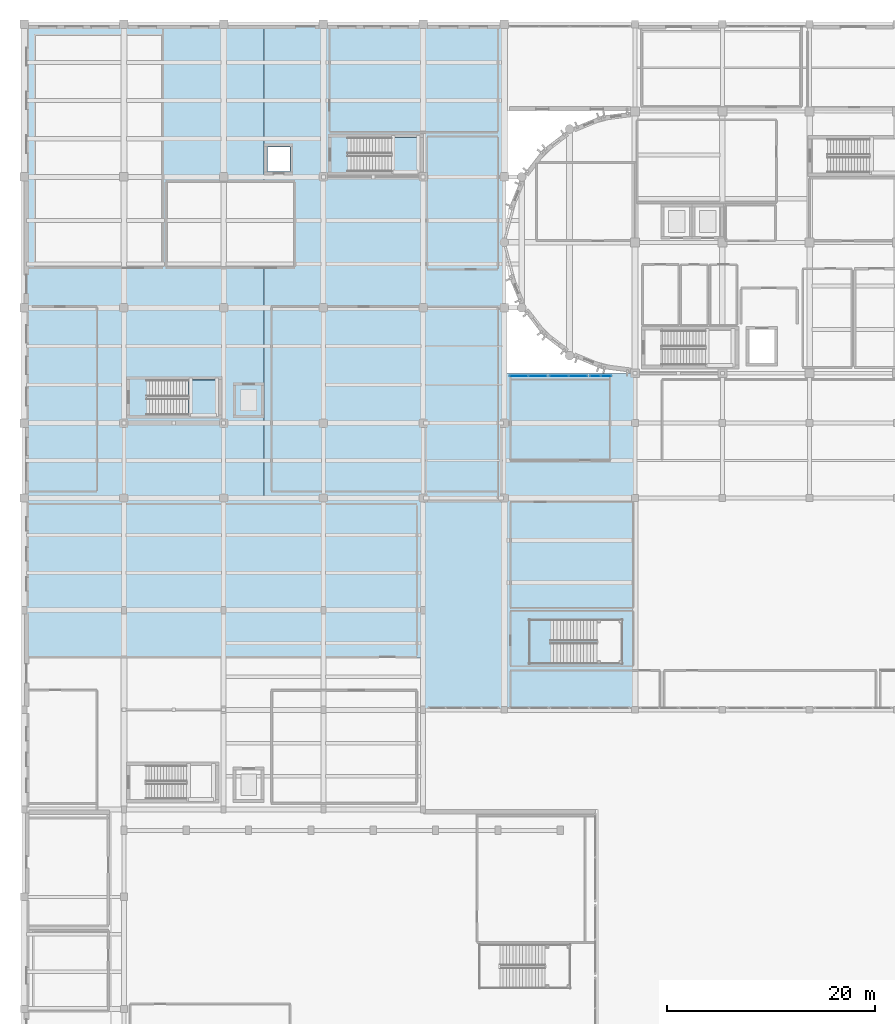
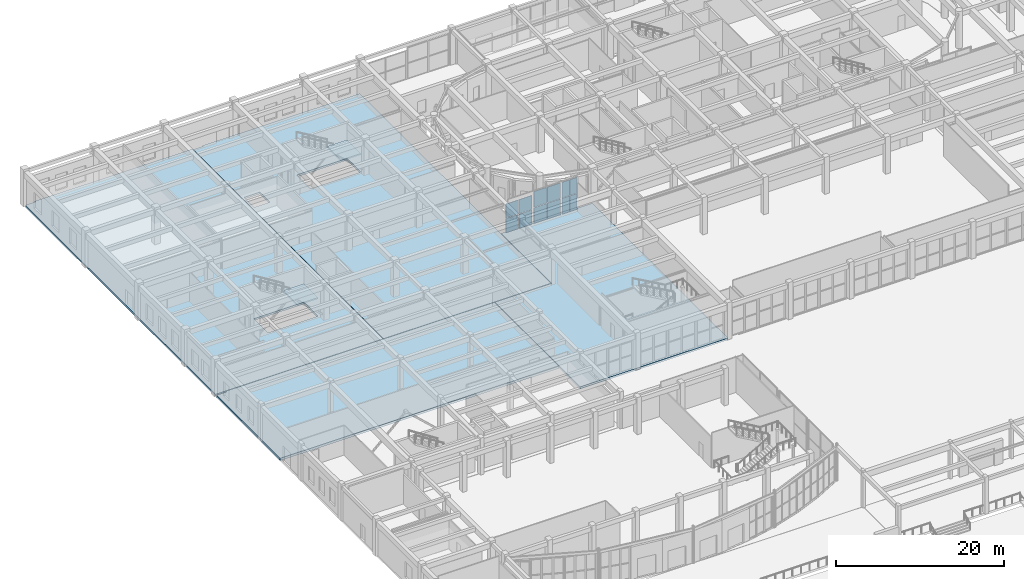
# One storey, part 62 of 98: 12 plates, 6 slabs, 5 elements without a shape of their own.
"""IFC4 building model written with IfcOpenShell, lengths in metres."""

import ifcopenshell
import ifcopenshell.guid

model = None  # the IFC model being written
_history = None  # IfcOwnerHistory: only IFC2X3 demands one
_inside = {}  # id of a spatial element -> (the spatial element, [elements in it])
_under = {}  # id of a project, library or spatial element -> (it, [spatial elements below it])
_declared = {}  # id of a project -> (the project, [libraries it declares])
_typed = {}  # id of a type object -> (the type object, [elements of that type])
_made_of = {}  # id of a material, layer set ... -> (it, [elements and type objects made of it])


def new_model(schema):
    """Start an empty IFC model of exactly this schema.

    Asked for "IFC4X3", IfcOpenShell would pick the latest addendum, in which some entities
    have other attributes; the version numbers below select the first issue.
    IFC2X3 requires an IfcOwnerHistory on every rooted entity: one is made here for all.
    """
    global model, _history
    if schema == "IFC4X3":
        model = ifcopenshell.file(schema_version=(4, 3, 0, 0))
    else:
        model = ifcopenshell.file(schema=schema)
    _inside.clear()
    _under.clear()
    _declared.clear()
    _typed.clear()
    _made_of.clear()
    _history = None
    if model.schema == "IFC2X3":
        org = make("IfcOrganization", Name="unknown")
        user = make(
            "IfcPersonAndOrganization",
            ThePerson=make("IfcPerson", FamilyName="unknown"),
            TheOrganization=org,
        )
        app = make(
            "IfcApplication",
            ApplicationDeveloper=org,
            Version="unknown",
            ApplicationFullName="unknown",
            ApplicationIdentifier="unknown",
        )
        _history = make(
            "IfcOwnerHistory",
            OwningUser=user,
            OwningApplication=app,
            ChangeAction="ADDED",
            CreationDate=0,
        )
    return model


def make(cls, **values):
    """One entity of the class cls with the attributes given. An attribute that is None is left unset."""
    return model.create_entity(
        cls, **{name: value for name, value in values.items() if value is not None}
    )


def rooted(cls, **values):
    """An entity with a GlobalId (a new one), such as an element, a storey or a relation."""
    return make(cls, GlobalId=ifcopenshell.guid.new(), OwnerHistory=_history, **values)


def si_unit(unit_type, name, prefix=None):
    """IfcSIUnit, for example si_unit("LENGTHUNIT", "METRE", prefix="MILLI")."""
    return make("IfcSIUnit", UnitType=unit_type, Prefix=prefix, Name=name)


def assignment(units):
    """IfcUnitAssignment: the units of a project."""
    return None if units is None else make("IfcUnitAssignment", Units=units)


def point(xyz):
    """IfcCartesianPoint."""
    return None if xyz is None else make("IfcCartesianPoint", Coordinates=xyz)


def direction(xyz):
    """IfcDirection."""
    return None if xyz is None else make("IfcDirection", DirectionRatios=xyz)


def frame(location, z_axis=None, x_axis=None):
    """IfcAxis2Placement3D, a coordinate frame: its origin and axes. An axis left out is left unset."""
    return make(
        "IfcAxis2Placement3D",
        Location=point(location),
        Axis=direction(z_axis),
        RefDirection=direction(x_axis),
    )


def frame_2d(location, x_axis=None):
    """IfcAxis2Placement2D, a coordinate frame in the plane: its origin and x axis."""
    return make(
        "IfcAxis2Placement2D", Location=point(location), RefDirection=direction(x_axis)
    )


def origin():
    """The frame at (0, 0, 0) with its axes left unset."""
    return frame((0.0, 0.0, 0.0))


def origin_2d():
    """The frame at (0, 0) in the plane with its x axis left unset."""
    return frame_2d((0.0, 0.0))


def place(relative_to, where):
    """IfcLocalPlacement: puts the frame where relative to a parent placement (None: the world)."""
    return make(
        "IfcLocalPlacement", PlacementRelTo=relative_to, RelativePlacement=where
    )


def context(
    kind, dimensions, precision=None, world=None, true_north=None, identifier=None
):
    """IfcGeometricRepresentationContext, for example the 3D "Model" context."""
    return make(
        "IfcGeometricRepresentationContext",
        ContextIdentifier=identifier,
        ContextType=kind,
        CoordinateSpaceDimension=dimensions,
        Precision=precision,
        WorldCoordinateSystem=world,
        TrueNorth=true_north,
    )


def subcontext(parent, identifier, kind, view, scale=None):
    """IfcGeometricRepresentationSubContext, for example "Body" below "Model"."""
    return make(
        "IfcGeometricRepresentationSubContext",
        ContextIdentifier=identifier,
        ContextType=kind,
        ParentContext=parent,
        TargetScale=scale,
        TargetView=view,
    )


def project(units=None, contexts=None):
    """IfcProject with its units and contexts."""
    return rooted(
        "IfcProject",
        Name="project",
        RepresentationContexts=contexts,
        UnitsInContext=assignment(units),
    )


def spatial(cls, under=None, at=None, **own):
    """A site, building, storey or space (cls), placed at a placement, below another one or the project."""
    s = rooted(cls, ObjectPlacement=at, **own)
    if under is not None:
        _under.setdefault(under.id(), (under, []))[1].append(s)
    return s


def polyline(points):
    """IfcPolyline through the points."""
    return make("IfcPolyline", Points=[point(p) for p in points])


def profile(cls, at=None, kind="AREA", **sizes):
    """A parametric profile (cls). Its sizes go by their IFC names, for example OverallWidth=200.0."""
    return make(cls, ProfileType=kind, Position=at, **sizes)


def rectangle(**sizes):
    """IfcRectangleProfileDef."""
    return profile("IfcRectangleProfileDef", **sizes)


def outline(outer, holes=None, kind="AREA"):
    """IfcArbitraryClosedProfileDef: a profile drawn as a closed curve; with holes, ...WithVoids."""
    if holes is None:
        return make("IfcArbitraryClosedProfileDef", ProfileType=kind, OuterCurve=outer)
    return make(
        "IfcArbitraryProfileDefWithVoids",
        ProfileType=kind,
        OuterCurve=outer,
        InnerCurves=holes,
    )


def extrude(swept, where, along, depth):
    """IfcExtrudedAreaSolid: the profile swept, set in the frame where, extruded along a direction by depth."""
    return make(
        "IfcExtrudedAreaSolid",
        SweptArea=swept,
        Position=where,
        ExtrudedDirection=direction(along),
        Depth=depth,
    )


def shape(context_of_items, identifier, shape_type, items):
    """IfcShapeRepresentation: the items that make up one representation, for example the "Body"."""
    return make(
        "IfcShapeRepresentation",
        ContextOfItems=context_of_items,
        RepresentationIdentifier=identifier,
        RepresentationType=shape_type,
        Items=items,
    )


def material(Name=None, Category=None):
    """IfcMaterial."""
    return make("IfcMaterial", Name=Name, Category=Category)


def layer(
    of_material, thickness, ventilated=None, Name=None, Category=None, Priority=None
):
    """IfcMaterialLayer: one layer of a wall or slab, of a material (None: an air gap)."""
    return make(
        "IfcMaterialLayer",
        Material=of_material,
        LayerThickness=thickness,
        IsVentilated=ventilated,
        Name=Name,
        Category=Category,
        Priority=Priority,
    )


def layer_set(layers, Name=None):
    """IfcMaterialLayerSet."""
    return make("IfcMaterialLayerSet", MaterialLayers=layers, LayerSetName=Name)


def made_of(thing, what):
    """Note that an element or type object is made of a material, layer set ...; save() writes the relation."""
    if what is not None:
        _made_of.setdefault(what.id(), (what, []))[1].append(thing)
    return thing


def type_object(cls, material=None, **own):
    """A type object (cls), such as IfcWallType, which elements share."""
    return made_of(rooted(cls, **own), material)


def element(
    cls,
    number,
    at=None,
    inside=None,
    cuts=None,
    type_object=None,
    material=None,
    context=None,
    identifier="Body",
    shape_type=None,
    held_by="IfcProductDefinitionShape",
    body=None,
    shapes=None,
    **own,
):
    """One element of the class cls, such as IfcWall. Its Tag is "e" and its number.

    at: its placement. inside: the storey or other place that contains it. cuts: it is an
    opening in that element (IfcRelVoidsElement). A single representation is given by context,
    identifier, shape_type and body (its items); several are given by shapes. held_by: the class
    of the entity that holds the representations. save() writes the other relations.
    """
    e = rooted(cls, Tag="e%d" % number, ObjectPlacement=at, **own)
    if body is not None:
        shapes = [shape(context, identifier, shape_type, body)]
    if shapes is not None:
        e.Representation = make(held_by, Representations=shapes)
    if inside is not None:
        _inside.setdefault(inside.id(), (inside, []))[1].append(e)
    if cuts is not None:
        rooted(
            "IfcRelVoidsElement", RelatingBuildingElement=cuts, RelatedOpeningElement=e
        )
    if type_object is not None:
        _typed.setdefault(type_object.id(), (type_object, []))[1].append(e)
    return made_of(e, material)


def aggregate(whole, parts):
    """IfcRelAggregates: a whole, such as a stair, and the parts it consists of."""
    return rooted("IfcRelAggregates", RelatingObject=whole, RelatedObjects=parts)


def save(model, path):
    """Write the relations noted so far, then the file.

    IfcRelAggregates (storeys below a building ...), IfcRelContainedInSpatialStructure (elements
    in a storey), IfcRelDefinesByType, IfcRelAssociatesMaterial and IfcRelDeclares: one each for
    every whole, place, type object, material and project.
    """
    for whole, parts in _under.values():
        aggregate(whole, parts)
    for where, things in _inside.values():
        rooted(
            "IfcRelContainedInSpatialStructure",
            RelatedElements=things,
            RelatingStructure=where,
        )
    for kind, things in _typed.values():
        rooted("IfcRelDefinesByType", RelatedObjects=things, RelatingType=kind)
    for what, things in _made_of.values():
        rooted("IfcRelAssociatesMaterial", RelatedObjects=things, RelatingMaterial=what)
    for by, libraries in _declared.values():
        rooted("IfcRelDeclares", RelatingContext=by, RelatedDefinitions=libraries)
    model.write(path)


model = new_model("IFC4")

# Units and contexts
model_context = context("Model", 3, precision=1e-05, world=origin(), true_north=direction((0.0, 1.0)))
body_context = subcontext(model_context, "Body", "Model", "MODEL_VIEW")
ifc_project = project(units=[si_unit("LENGTHUNIT", "METRE"), si_unit("AREAUNIT", "SQUARE_METRE"), si_unit("VOLUMEUNIT", "CUBIC_METRE"), si_unit("PLANEANGLEUNIT", "RADIAN"), si_unit("MASSUNIT", "GRAM", prefix="KILO")], contexts=[model_context])

# Site, building, storey
site_placement = place(None, origin())
site = spatial("IfcSite", under=ifc_project, at=site_placement, CompositionType="ELEMENT")
building_placement = place(site_placement, origin())
building = spatial("IfcBuilding", under=site, at=building_placement, Name="Tarnavel Promenade Courthouse", CompositionType="ELEMENT")
storey_placement = place(building_placement, origin())
storey = spatial("IfcBuildingStorey", under=building, at=storey_placement, Name="L01", CompositionType="ELEMENT", Elevation=0.0)

# Slabs
ifc_material_1 = material(Name="Concrete C35/45", Category="concrete")
ifc_layer_1 = layer(ifc_material_1, 0.280029296875)
ifc_layer_set_1 = layer_set([ifc_layer_1], Name="Concrete C35/45")
slab_type_1 = type_object("IfcSlabType", Name="Concrete C35/45 SLB-L01-280 (280 mm)", PredefinedType="FLOOR", material=ifc_layer_set_1)
slab_1_placement = place(storey_placement, frame((0.0, 0.0, -0.280029296875)))
element("IfcSlab", 1, at=slab_1_placement, inside=storey, type_object=slab_type_1, Name="L01 Trial Courtrooms W PT Floor Slab", PredefinedType="FLOOR", context=body_context, shape_type="SweptSolid", body=[
    extrude(outline(polyline([(0.0, 67.219970703125), (23.080078125, 67.219970703125), (23.080078125, 112.800048828125), (1.39990234375, 112.800048828125), (1.39990234375, 112.639892578125), (0.0, 112.639892578125), (0.0, 67.219970703125)]), holes=[polyline([(11.824951171875, 75.199951171875), (18.699951171875, 75.199951171875), (18.699951171875, 78.56005859375), (11.824951171875, 78.56005859375), (11.824951171875, 75.199951171875)])]), origin(), (0.0, 0.0, 1.0), 0.280029296875),
])
slab_2_placement = place(storey_placement, frame((0.0, 0.0, -0.280029296875)))
element("IfcSlab", 2, at=slab_2_placement, inside=storey, type_object=slab_type_1, Name="L01 Trial Courtrooms E PT Floor Slab", PredefinedType="FLOOR", context=body_context, shape_type="SweptSolid", body=[
    extrude(outline(polyline([(23.1201171875, 67.219970703125), (46.179931640625, 67.219970703125), (46.179931640625, 112.800048828125), (24.52001953125, 112.800048828125), (24.52001953125, 112.639892578125), (23.1201171875, 112.639892578125), (23.1201171875, 67.219970703125)]), holes=[polyline([(31.18505859375, 98.60009765625), (38.10009765625, 98.60009765625), (38.10009765625, 101.8798828125), (31.18505859375, 101.8798828125), (31.18505859375, 98.60009765625)]), polyline([(23.39990234375, 98.60009765625), (25.60009765625, 98.60009765625), (25.60009765625, 101.0), (23.39990234375, 101.0), (23.39990234375, 98.60009765625)])]), origin(), (0.0, 0.0, 1.0), 0.280029296875),
])
slab_3_placement = place(storey_placement, frame((0.0, 0.0, -0.280029296875)))
element("IfcSlab", 3, at=slab_3_placement, inside=storey, type_object=slab_type_1, Name="L01 Winter-Garden West Concourse Slab", PredefinedType="FLOOR", context=body_context, shape_type="SweptSolid", body=[
    extrude(outline(polyline([(38.419921875, 46.800048828125), (58.780029296875, 46.800048828125), (58.780029296875, 79.179931640625), (46.219970703125, 79.179931640625), (46.219970703125, 67.179931640625), (38.419921875, 67.179931640625), (38.419921875, 46.800048828125)])), origin(), (0.0, 0.0, 1.0), 0.280029296875),
])

# Stair, slab
stair_type_1 = type_object("IfcStairType", Name="Concrete C35/45 Half-Turn Stair STR-08 (1580W-290G-30R)", PredefinedType="HALF_TURN_STAIR", material=ifc_material_1)
stair_1_placement = place(storey_placement, origin())
stair_1 = element("IfcStair", 4, at=stair_1_placement, inside=storey, type_object=stair_type_1, Name="L01 Trial Courts West Exit Stair", PredefinedType="HALF_TURN_STAIR")
ifc_layer_2 = layer(ifc_material_1, 0.205078125)
ifc_layer_set_2 = layer_set([ifc_layer_2], Name="Concrete C35/45")
slab_type_2 = type_object("IfcSlabType", Name="Concrete C35/45 Stair Landing SLB-LND-205 (205 mm)", PredefinedType="LANDING", material=ifc_layer_set_2)
slab_4_placement = place(storey_placement, frame((0.0, 0.0, 2.5)))
slab_4 = element("IfcSlab", 5, at=slab_4_placement, type_object=slab_type_2, Name="ST-04 landing 1", PredefinedType="LANDING", context=body_context, shape_type="SweptSolid", body=[
    extrude(outline(polyline([(15.840087890625, 75.199951171875), (18.699951171875, 75.199951171875), (18.699951171875, 78.56005859375), (15.840087890625, 78.56005859375), (15.840087890625, 75.199951171875)])), origin(), (0.0, 0.0, 1.0), 0.199951171875),
])
aggregate(stair_1, [slab_4])

stair_type_2 = type_object("IfcStairType", Name="Concrete C35/45 Half-Turn Stair STR-11 (1540W-300G-30R)", PredefinedType="HALF_TURN_STAIR", material=ifc_material_1)
stair_2_placement = place(storey_placement, origin())
stair_2 = element("IfcStair", 6, at=stair_2_placement, inside=storey, type_object=stair_type_2, Name="L01 Trial Courts North Exit Stair", PredefinedType="HALF_TURN_STAIR")
slab_5_placement = place(storey_placement, frame((0.0, 0.0, 2.5)))
slab_5 = element("IfcSlab", 7, at=slab_5_placement, type_object=slab_type_2, Name="ST-07 landing 1", PredefinedType="LANDING", context=body_context, shape_type="SweptSolid", body=[
    extrude(outline(polyline([(35.340087890625, 98.60009765625), (38.10009765625, 98.60009765625), (38.10009765625, 101.8798828125), (35.340087890625, 101.8798828125), (35.340087890625, 98.60009765625)])), origin(), (0.0, 0.0, 1.0), 0.199951171875),
])
aggregate(stair_2, [slab_5])

# Slab
ifc_material_2 = material(Name="Concrete C40/50", Category="concrete")
ifc_layer_3 = layer(ifc_material_2, 0.340087890625)
ifc_layer_set_3 = layer_set([ifc_layer_3], Name="Concrete C40/50")
slab_type_3 = type_object("IfcSlabType", Name="Concrete C40/50 SLB-ARC-340 (340 mm)", PredefinedType="FLOOR", material=ifc_layer_set_3)
slab_6_placement = place(storey_placement, frame((0.0, 0.0, -0.340087890625)))
element("IfcSlab", 8, at=slab_6_placement, inside=storey, type_object=slab_type_3, Name="L01 Law Library N Heavy Stack Slab", PredefinedType="FLOOR", context=body_context, shape_type="SweptSolid", body=[
    extrude(outline(polyline([(0.0, 51.840087890625), (38.3798828125, 51.840087890625), (38.3798828125, 67.179931640625), (1.39990234375, 67.179931640625), (1.39990234375, 67.02001953125), (0.0, 67.02001953125), (0.0, 51.840087890625)])), origin(), (0.0, 0.0, 1.0), 0.340087890625),
])

# Curtain wall, plates
ifc_material_3 = material(Name="Thermally Broken Anodised Aluminium Curtain Wall System", Category="aluminium")
ifc_layer_4 = layer(ifc_material_3, 0.2099609375)
ifc_layer_set_4 = layer_set([ifc_layer_4], Name="Thermally Broken Anodised Aluminium Curtain Wall System")
curtain_wall_type = type_object("IfcCurtainWallType", Name="Thermally Broken Aluminium Triple-Glazed Curtain Wall CW-WG-N", PredefinedType="NOTDEFINED", material=ifc_layer_set_4)
curtain_wall_1_placement = place(storey_placement, origin())
curtain_wall_1 = element("IfcCurtainWall", 9, at=curtain_wall_1_placement, inside=storey, type_object=curtain_wall_type, Name="L01 Winter-Garden North Curtain Wall 102", PredefinedType="NOTDEFINED")
ifc_material_4 = material(Name="Triple Low-E Argon Insulated Glazing", Category="glass")
ifc_layer_5 = layer(ifc_material_4, 0.048095703125)
ifc_layer_set_5 = layer_set([ifc_layer_5], Name="Triple Low-E Argon Insulated Glazing")
plate_type = type_object("IfcPlateType", Name="Triple Low-E Argon Insulated Glazing Unit CWP-48 (48 mm)", PredefinedType="CURTAIN_PANEL", material=ifc_layer_set_5)
plate_1_placement = place(storey_placement, frame((47.607421875, 78.949951171875, 0.06982421875), z_axis=(0.0, 0.0, 1.0), x_axis=(1.0, 0.0, 0.0)))
plate_1 = element("IfcPlate", 10, at=plate_1_placement, type_object=plate_type, Name="CW-03 panel 1.1", PredefinedType="CURTAIN_PANEL", context=body_context, shape_type="SweptSolid", body=[
    extrude(rectangle(XDim=1.7548828125, YDim=0.048095703125, at=origin_2d()), origin(), (0.0, 0.0, 1.0), 2.054931640625),
])
plate_2_placement = place(storey_placement, frame((47.607421875, 78.949951171875, 2.19482421875), z_axis=(0.0, 0.0, 1.0), x_axis=(1.0, 0.0, 0.0)))
plate_2 = element("IfcPlate", 11, at=plate_2_placement, type_object=plate_type, Name="CW-03 panel 1.2", PredefinedType="CURTAIN_PANEL", context=body_context, shape_type="SweptSolid", body=[
    extrude(rectangle(XDim=1.7548828125, YDim=0.048095703125, at=origin_2d()), origin(), (0.0, 0.0, 1.0), 2.054931640625),
])
plate_3_placement = place(storey_placement, frame((49.4423828125, 78.949951171875, 0.06982421875), z_axis=(0.0, 0.0, 1.0), x_axis=(1.0, 0.0, 0.0)))
plate_3 = element("IfcPlate", 12, at=plate_3_placement, type_object=plate_type, Name="CW-03 panel 2.1", PredefinedType="CURTAIN_PANEL", context=body_context, shape_type="SweptSolid", body=[
    extrude(rectangle(XDim=1.7548828125, YDim=0.048095703125, at=origin_2d()), origin(), (0.0, 0.0, 1.0), 2.054931640625),
])
plate_4_placement = place(storey_placement, frame((49.4423828125, 78.949951171875, 2.19482421875), z_axis=(0.0, 0.0, 1.0), x_axis=(1.0, 0.0, 0.0)))
plate_4 = element("IfcPlate", 13, at=plate_4_placement, type_object=plate_type, Name="CW-03 panel 2.2", PredefinedType="CURTAIN_PANEL", context=body_context, shape_type="SweptSolid", body=[
    extrude(rectangle(XDim=1.7548828125, YDim=0.048095703125, at=origin_2d()), origin(), (0.0, 0.0, 1.0), 2.054931640625),
])
aggregate(curtain_wall_1, [plate_1, plate_2, plate_3, plate_4])

curtain_wall_2_placement = place(storey_placement, origin())
curtain_wall_2 = element("IfcCurtainWall", 14, at=curtain_wall_2_placement, inside=storey, type_object=curtain_wall_type, Name="L01 Winter-Garden North Curtain Wall 103", PredefinedType="NOTDEFINED")
plate_5_placement = place(storey_placement, frame((51.469970703125, 78.949951171875, 0.06982421875), z_axis=(0.0, 0.0, 1.0), x_axis=(1.0, 0.0, 0.0)))
plate_5 = element("IfcPlate", 15, at=plate_5_placement, type_object=plate_type, Name="CW-03 panel 1.1", PredefinedType="CURTAIN_PANEL", context=body_context, shape_type="SweptSolid", body=[
    extrude(rectangle(XDim=1.780029296875, YDim=0.048095703125, at=origin_2d()), origin(), (0.0, 0.0, 1.0), 2.280029296875),
])
plate_6_placement = place(storey_placement, frame((51.469970703125, 78.949951171875, 2.419921875), z_axis=(0.0, 0.0, 1.0), x_axis=(1.0, 0.0, 0.0)))
plate_6 = element("IfcPlate", 16, at=plate_6_placement, type_object=plate_type, Name="CW-03 panel 1.2", PredefinedType="CURTAIN_PANEL", context=body_context, shape_type="SweptSolid", body=[
    extrude(rectangle(XDim=1.780029296875, YDim=0.048095703125, at=origin_2d()), origin(), (0.0, 0.0, 1.0), 2.280029296875),
])
plate_7_placement = place(storey_placement, frame((53.330078125, 78.949951171875, 0.06982421875), z_axis=(0.0, 0.0, 1.0), x_axis=(1.0, 0.0, 0.0)))
plate_7 = element("IfcPlate", 17, at=plate_7_placement, type_object=plate_type, Name="CW-03 panel 2.1", PredefinedType="CURTAIN_PANEL", context=body_context, shape_type="SweptSolid", body=[
    extrude(rectangle(XDim=1.780029296875, YDim=0.048095703125, at=origin_2d()), origin(), (0.0, 0.0, 1.0), 2.280029296875),
])
plate_8_placement = place(storey_placement, frame((53.330078125, 78.949951171875, 2.419921875), z_axis=(0.0, 0.0, 1.0), x_axis=(1.0, 0.0, 0.0)))
plate_8 = element("IfcPlate", 18, at=plate_8_placement, type_object=plate_type, Name="CW-03 panel 2.2", PredefinedType="CURTAIN_PANEL", context=body_context, shape_type="SweptSolid", body=[
    extrude(rectangle(XDim=1.780029296875, YDim=0.048095703125, at=origin_2d()), origin(), (0.0, 0.0, 1.0), 2.280029296875),
])
aggregate(curtain_wall_2, [plate_5, plate_6, plate_7, plate_8])

curtain_wall_3_placement = place(storey_placement, origin())
curtain_wall_3 = element("IfcCurtainWall", 19, at=curtain_wall_3_placement, inside=storey, type_object=curtain_wall_type, Name="L01 Winter-Garden North Curtain Wall 104", PredefinedType="NOTDEFINED")
plate_9_placement = place(storey_placement, frame((54.969970703125, 78.949951171875, 0.06982421875), z_axis=(0.0, 0.0, 1.0), x_axis=(1.0, 0.0, 0.0)))
plate_9 = element("IfcPlate", 20, at=plate_9_placement, type_object=plate_type, Name="CW-03 panel 1.1", PredefinedType="CURTAIN_PANEL", context=body_context, shape_type="SweptSolid", body=[
    extrude(rectangle(XDim=0.97998046875, YDim=0.048095703125, at=origin_2d()), origin(), (0.0, 0.0, 1.0), 2.280029296875),
])
plate_10_placement = place(storey_placement, frame((54.969970703125, 78.949951171875, 2.419921875), z_axis=(0.0, 0.0, 1.0), x_axis=(1.0, 0.0, 0.0)))
plate_10 = element("IfcPlate", 21, at=plate_10_placement, type_object=plate_type, Name="CW-03 panel 1.2", PredefinedType="CURTAIN_PANEL", context=body_context, shape_type="SweptSolid", body=[
    extrude(rectangle(XDim=0.97998046875, YDim=0.048095703125, at=origin_2d()), origin(), (0.0, 0.0, 1.0), 2.280029296875),
])
plate_11_placement = place(storey_placement, frame((56.030029296875, 78.949951171875, 0.06982421875), z_axis=(0.0, 0.0, 1.0), x_axis=(1.0, 0.0, 0.0)))
plate_11 = element("IfcPlate", 22, at=plate_11_placement, type_object=plate_type, Name="CW-03 panel 2.1", PredefinedType="CURTAIN_PANEL", context=body_context, shape_type="SweptSolid", body=[
    extrude(rectangle(XDim=0.97998046875, YDim=0.048095703125, at=origin_2d()), origin(), (0.0, 0.0, 1.0), 2.280029296875),
])
plate_12_placement = place(storey_placement, frame((56.030029296875, 78.949951171875, 2.419921875), z_axis=(0.0, 0.0, 1.0), x_axis=(1.0, 0.0, 0.0)))
plate_12 = element("IfcPlate", 23, at=plate_12_placement, type_object=plate_type, Name="CW-03 panel 2.2", PredefinedType="CURTAIN_PANEL", context=body_context, shape_type="SweptSolid", body=[
    extrude(rectangle(XDim=0.97998046875, YDim=0.048095703125, at=origin_2d()), origin(), (0.0, 0.0, 1.0), 2.280029296875),
])
aggregate(curtain_wall_3, [plate_9, plate_10, plate_11, plate_12])

save(model, "model.ifc")
